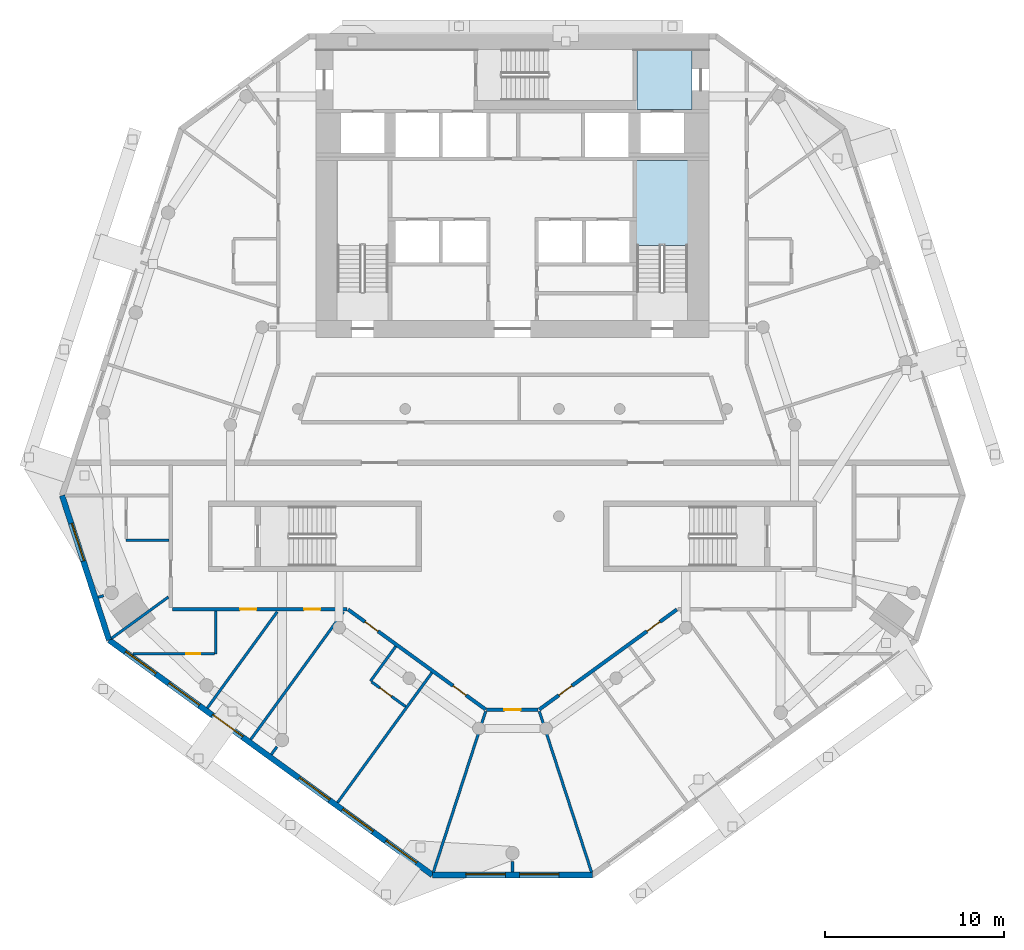
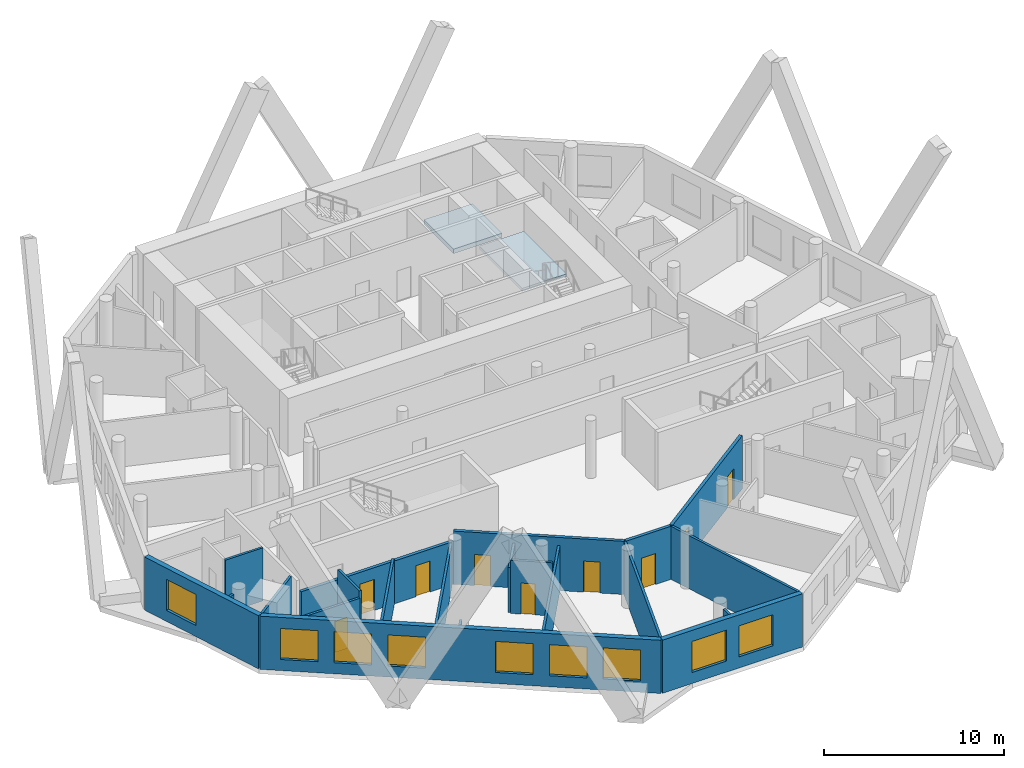
# One storey, part 3 of 10: 21 walls, 9 doors, 9 windows, 2 slabs, 18 openings, 1 element without a shape of its own.
"""IFC4 building model written with IfcOpenShell, lengths in metres."""

from ifc_helpers import new_model, si_unit, direction, frame, frame_2d, origin, place, context, subcontext, project, spatial, polyline, rectangle, outline, extrude, material, layer, layer_set, type_object, element, fill, aggregate, save


model = new_model("IFC4")

# Units and contexts
model_context = context("Model", 3, precision=1e-05, world=origin(), true_north=direction((0.0, 1.0)))
body_context = subcontext(model_context, "Body", "Model", "MODEL_VIEW")
ifc_project = project(units=[si_unit("LENGTHUNIT", "METRE"), si_unit("AREAUNIT", "SQUARE_METRE"), si_unit("VOLUMEUNIT", "CUBIC_METRE"), si_unit("PLANEANGLEUNIT", "RADIAN"), si_unit("MASSUNIT", "GRAM", prefix="KILO")], contexts=[model_context])

# Site, building, storey
site_placement = place(None, origin())
site = spatial("IfcSite", under=ifc_project, at=site_placement, CompositionType="ELEMENT")
building_placement = place(site_placement, origin())
building = spatial("IfcBuilding", under=site, at=building_placement, Name="White Candle Pilgrim Tower", CompositionType="ELEMENT")
storey_placement = place(building_placement, frame((0.0, 0.0, 160.300048828125)))
storey = spatial("IfcBuildingStorey", under=building, at=storey_placement, Name="L36", CompositionType="ELEMENT", Elevation=160.300048828125)

# Slab
ifc_material_1 = material(Name="Concrete C40/50", Category="concrete")
ifc_layer_1 = layer(ifc_material_1, 0.300048828125)
ifc_layer_set_1 = layer_set([ifc_layer_1], Name="Core floor slab 300 mm Concrete C40/50")
slab_type_1 = type_object("IfcSlabType", Name="Core floor slab 300 mm Concrete C40/50", PredefinedType="FLOOR", material=ifc_layer_set_1)
slab_1_placement = place(storey_placement, frame((0.0, 0.0, -0.300048828125)))
element("IfcSlab", 1, at=slab_1_placement, inside=storey, type_object=slab_type_1, Name="CF-L36-06", PredefinedType="FLOOR", context=body_context, shape_type="SweptSolid", body=[
    extrude(outline(polyline([(80.050048828125, 87.050048828125), (80.050048828125, 83.75), (76.949951171875, 83.75), (76.949951171875, 84.25), (76.949951171875, 87.050048828125), (80.050048828125, 87.050048828125)])), origin(), (0.0, 0.0, 1.0), 0.300048828125),
])

# Stair, slab
stair_type = type_object("IfcStairType", Name="Exit stair 2 flight width 1350 mm", PredefinedType="HALF_TURN_STAIR", material=ifc_material_1)
stair_placement = place(storey_placement, origin())
stair = element("IfcStair", 2, at=stair_placement, inside=storey, type_object=stair_type, Name="L36 stair 2", PredefinedType="NOTDEFINED")
ifc_layer_2 = layer(ifc_material_1, 0.199951171875)
ifc_layer_set_2 = layer_set([ifc_layer_2], Name="Stair landing Concrete C40/50")
slab_type_2 = type_object("IfcSlabType", Name="Stair landing Concrete C40/50", PredefinedType="LANDING", material=ifc_layer_set_2)
slab_2_placement = place(storey_placement, frame((0.0, 0.0, 1.75)))
slab_2 = element("IfcSlab", 3, at=slab_2_placement, type_object=slab_type_2, Name="ST2 landing 1", PredefinedType="LANDING", context=body_context, shape_type="SweptSolid", body=[
    extrude(outline(polyline([(79.802001953125, 76.14794921875), (76.947998046875, 76.14794921875), (76.947998046875, 80.902099609375), (79.802001953125, 80.902099609375), (79.802001953125, 76.14794921875)])), origin(), (0.0, 0.0, 1.0), 0.199951171875),
])
aggregate(stair, [slab_2])

# Wall, openings, doors
ifc_material_2 = material(Name="Gypsum board on steel studs", Category="steel")
ifc_layer_3 = layer(ifc_material_2, 0.199951171875)
ifc_layer_set_3 = layer_set([ifc_layer_3], Name="Corridor wall 200 mm EI 45")
wall_type_1 = type_object("IfcWallType", Name="Corridor wall 200 mm EI 45", PredefinedType="PARTITIONING", material=ifc_layer_set_3)
wall_1_placement = place(storey_placement, frame((79.192626953125, 55.781005859375, 0.0), z_axis=(0.0, 0.0, 1.0), x_axis=(-0.809014652106, -0.587788476135, 0.0)))
wall_1 = element("IfcWall", 4, at=wall_1_placement, inside=storey, type_object=wall_type_1, Name="WL-L36-P008", PredefinedType="PARTITIONING", context=body_context, shape_type="SweptSolid", body=[
    extrude(rectangle(XDim=9.509521484375, YDim=0.199951171875, at=frame_2d((4.7548828125, 0.0))), origin(), (0.0, 0.0, 1.0), 3.599853515625),
])
opening_1_placement = place(wall_1_placement, frame((7.2548828125, 0.0, 0.0)))
opening_1 = element("IfcOpeningElement", 5, at=opening_1_placement, cuts=wall_1, Name="Opening T11-111", PredefinedType="OPENING", context=body_context, shape_type="SweptSolid", body=[
    extrude(rectangle(XDim=0.89990234375, YDim=2.10009765625, at=frame_2d((0.449951171875, 1.050048828125))), frame((0.0, 0.10986328125, 0.0), z_axis=(0.0, -1.0, 0.0), x_axis=(1.0, 0.0, 0.0)), (0.0, 0.0, 1.0), 0.219970703125),
])
opening_2_placement = place(wall_1_placement, frame((1.16748046875, 0.0, 0.0)))
opening_2 = element("IfcOpeningElement", 6, at=opening_2_placement, cuts=wall_1, Name="Opening T11-113", PredefinedType="OPENING", context=body_context, shape_type="SweptSolid", body=[
    extrude(rectangle(XDim=0.89990234375, YDim=2.10009765625, at=frame_2d((0.449951171875, 1.050048828125))), frame((0.0, 0.10986328125, 0.0), z_axis=(0.0, -1.0, 0.0), x_axis=(1.0, 0.0, 0.0)), (0.0, 0.0, 1.0), 0.219970703125),
])
ifc_material_3 = material(Name="Steel door leaf", Category="steel")
door_type_1 = type_object("IfcDoorType", Name="Fire door 900 x 2100 EI 30", OperationType="NOTDEFINED", PredefinedType="DOOR", material=ifc_material_3)
door_1_placement = place(opening_1_placement, origin())
door_1 = element("IfcDoor", 7, at=door_1_placement, inside=storey, type_object=door_type_1, Name="Door T11-111", OperationType="SINGLE_SWING_LEFT", OverallHeight=2.10009765625, OverallWidth=0.89990234375, PredefinedType="DOOR", context=body_context, shape_type="SweptSolid", body=[
    extrude(rectangle(XDim=0.89990234375, YDim=2.10009765625, at=frame_2d((0.449951171875, 1.050048828125))), frame((0.0, 0.02490234375, 0.0), z_axis=(0.0, -1.0, 0.0), x_axis=(1.0, 0.0, 0.0)), (0.0, 0.0, 1.0), 0.050048828125),
])
fill(opening_1, door_1)
door_2_placement = place(opening_2_placement, origin())
door_2 = element("IfcDoor", 8, at=door_2_placement, inside=storey, type_object=door_type_1, Name="Door T11-113", OperationType="SINGLE_SWING_LEFT", OverallHeight=2.10009765625, OverallWidth=0.89990234375, PredefinedType="DOOR", context=body_context, shape_type="SweptSolid", body=[
    extrude(rectangle(XDim=0.89990234375, YDim=2.10009765625, at=frame_2d((0.449951171875, 1.050048828125))), frame((0.0, 0.02490234375, 0.0), z_axis=(0.0, -1.0, 0.0), x_axis=(1.0, 0.0, 0.0)), (0.0, 0.0, 1.0), 0.050048828125),
])
fill(opening_2, door_2)

# Wall, opening, door
wall_2_placement = place(storey_placement, frame((71.440673828125, 50.17236328125, 0.0), z_axis=(0.0, 0.0, 1.0), x_axis=(-1.0, 0.0, 0.0)))
wall_2 = element("IfcWall", 9, at=wall_2_placement, inside=storey, type_object=wall_type_1, Name="WL-L36-P009", PredefinedType="PARTITIONING", context=body_context, shape_type="SweptSolid", body=[
    extrude(rectangle(XDim=2.88134765625, YDim=0.199951171875, at=frame_2d((1.440673828125, 0.0))), origin(), (0.0, 0.0, 1.0), 3.599853515625),
])
opening_3_placement = place(wall_2_placement, frame((0.990478515625, 0.0, 0.0)))
opening_3 = element("IfcOpeningElement", 10, at=opening_3_placement, cuts=wall_2, Name="Opening T11-110", PredefinedType="OPENING", context=body_context, shape_type="SweptSolid", body=[
    extrude(rectangle(XDim=0.89990234375, YDim=2.10009765625, at=frame_2d((0.449951171875, 1.050048828125))), frame((0.0, 0.10986328125, 0.0), z_axis=(0.0, -1.0, 0.0), x_axis=(1.0, 0.0, 0.0)), (0.0, 0.0, 1.0), 0.219970703125),
])
door_3_placement = place(opening_3_placement, origin())
door_3 = element("IfcDoor", 11, at=door_3_placement, inside=storey, type_object=door_type_1, Name="Door T11-110", OperationType="SINGLE_SWING_RIGHT", OverallHeight=2.10009765625, OverallWidth=0.89990234375, PredefinedType="DOOR", context=body_context, shape_type="SweptSolid", body=[
    extrude(rectangle(XDim=0.89990234375, YDim=2.10009765625, at=frame_2d((0.449951171875, 1.050048828125))), frame((0.0, 0.02490234375, 0.0), z_axis=(0.0, -1.0, 0.0), x_axis=(1.0, 0.0, 0.0)), (0.0, 0.0, 1.0), 0.050048828125),
])
fill(opening_3, door_3)

# Wall, openings, doors
wall_3_placement = place(storey_placement, frame((68.500732421875, 50.19140625, 0.0), z_axis=(0.0, 0.0, 1.0), x_axis=(-0.809014652106, 0.587788476135, 0.0)))
wall_3 = element("IfcWall", 12, at=wall_3_placement, inside=storey, type_object=wall_type_1, Name="WL-L36-P010", PredefinedType="PARTITIONING", context=body_context, shape_type="SweptSolid", body=[
    extrude(rectangle(XDim=9.509521484375, YDim=0.199951171875, at=frame_2d((4.7548828125, 0.0))), origin(), (0.0, 0.0, 1.0), 3.599853515625),
])
opening_4_placement = place(wall_3_placement, frame((7.44189453125, 0.0, 0.0)))
opening_4 = element("IfcOpeningElement", 13, at=opening_4_placement, cuts=wall_3, Name="Opening T11-108", PredefinedType="OPENING", context=body_context, shape_type="SweptSolid", body=[
    extrude(rectangle(XDim=0.89990234375, YDim=2.10009765625, at=frame_2d((0.449951171875, 1.050048828125))), frame((0.0, 0.10986328125, 0.0), z_axis=(0.0, -1.0, 0.0), x_axis=(1.0, 0.0, 0.0)), (0.0, 0.0, 1.0), 0.219970703125),
])
opening_5_placement = place(wall_3_placement, frame((1.3544921875, 0.0, 0.0)))
opening_5 = element("IfcOpeningElement", 14, at=opening_5_placement, cuts=wall_3, Name="Opening T11-109", PredefinedType="OPENING", context=body_context, shape_type="SweptSolid", body=[
    extrude(rectangle(XDim=0.89990234375, YDim=2.10009765625, at=frame_2d((0.449951171875, 1.050048828125))), frame((0.0, 0.10986328125, 0.0), z_axis=(0.0, -1.0, 0.0), x_axis=(1.0, 0.0, 0.0)), (0.0, 0.0, 1.0), 0.219970703125),
])
door_4_placement = place(opening_4_placement, origin())
door_4 = element("IfcDoor", 15, at=door_4_placement, inside=storey, type_object=door_type_1, Name="Door T11-108", OperationType="SINGLE_SWING_RIGHT", OverallHeight=2.10009765625, OverallWidth=0.89990234375, PredefinedType="DOOR", context=body_context, shape_type="SweptSolid", body=[
    extrude(rectangle(XDim=0.89990234375, YDim=2.10009765625, at=frame_2d((0.449951171875, 1.050048828125))), frame((0.0, 0.02490234375, 0.0), z_axis=(0.0, -1.0, 0.0), x_axis=(1.0, 0.0, 0.0)), (0.0, 0.0, 1.0), 0.050048828125),
])
fill(opening_4, door_4)
door_5_placement = place(opening_5_placement, origin())
door_5 = element("IfcDoor", 16, at=door_5_placement, inside=storey, type_object=door_type_1, Name="Door T11-109", OperationType="SINGLE_SWING_LEFT", OverallHeight=2.10009765625, OverallWidth=0.89990234375, PredefinedType="DOOR", context=body_context, shape_type="SweptSolid", body=[
    extrude(rectangle(XDim=0.89990234375, YDim=2.10009765625, at=frame_2d((0.449951171875, 1.050048828125))), frame((0.0, 0.02490234375, 0.0), z_axis=(0.0, -1.0, 0.0), x_axis=(1.0, 0.0, 0.0)), (0.0, 0.0, 1.0), 0.050048828125),
])
fill(opening_5, door_5)

wall_4_placement = place(storey_placement, frame((60.74853515625, 55.800048828125, 0.0), z_axis=(0.0, 0.0, 1.0), x_axis=(-1.0, 0.0, 0.0)))
wall_4 = element("IfcWall", 17, at=wall_4_placement, inside=storey, type_object=wall_type_1, Name="WL-L36-P011", PredefinedType="PARTITIONING", context=body_context, shape_type="SweptSolid", body=[
    extrude(rectangle(XDim=9.74853515625, YDim=0.199951171875, at=frame_2d((4.874267578125, 0.0))), origin(), (0.0, 0.0, 1.0), 2.89990234375),
])
opening_6_placement = place(wall_4_placement, frame((5.07373046875, 0.0, 0.0)))
opening_6 = element("IfcOpeningElement", 18, at=opening_6_placement, cuts=wall_4, Name="Opening T11-105", PredefinedType="OPENING", context=body_context, shape_type="SweptSolid", body=[
    extrude(rectangle(XDim=0.89990234375, YDim=2.10009765625, at=frame_2d((0.449951171875, 1.050048828125))), frame((0.0, 0.10986328125, 0.0), z_axis=(0.0, -1.0, 0.0), x_axis=(1.0, 0.0, 0.0)), (0.0, 0.0, 1.0), 0.219970703125),
])
opening_7_placement = place(wall_4_placement, frame((1.4951171875, 0.0, 0.0)))
opening_7 = element("IfcOpeningElement", 19, at=opening_7_placement, cuts=wall_4, Name="Opening T11-106", PredefinedType="OPENING", context=body_context, shape_type="SweptSolid", body=[
    extrude(rectangle(XDim=0.89990234375, YDim=2.10009765625, at=frame_2d((0.449951171875, 1.050048828125))), frame((0.0, 0.10986328125, 0.0), z_axis=(0.0, -1.0, 0.0), x_axis=(1.0, 0.0, 0.0)), (0.0, 0.0, 1.0), 0.219970703125),
])
door_6_placement = place(opening_6_placement, origin())
door_6 = element("IfcDoor", 20, at=door_6_placement, inside=storey, type_object=door_type_1, Name="Door T11-105", OperationType="SINGLE_SWING_LEFT", OverallHeight=2.10009765625, OverallWidth=0.89990234375, PredefinedType="DOOR", context=body_context, shape_type="SweptSolid", body=[
    extrude(rectangle(XDim=0.89990234375, YDim=2.10009765625, at=frame_2d((0.449951171875, 1.050048828125))), frame((0.0, 0.02490234375, 0.0), z_axis=(0.0, -1.0, 0.0), x_axis=(1.0, 0.0, 0.0)), (0.0, 0.0, 1.0), 0.050048828125),
])
fill(opening_6, door_6)
door_7_placement = place(opening_7_placement, origin())
door_7 = element("IfcDoor", 21, at=door_7_placement, inside=storey, type_object=door_type_1, Name="Door T11-106", OperationType="SINGLE_SWING_RIGHT", OverallHeight=2.10009765625, OverallWidth=0.89990234375, PredefinedType="DOOR", context=body_context, shape_type="SweptSolid", body=[
    extrude(rectangle(XDim=0.89990234375, YDim=2.10009765625, at=frame_2d((0.449951171875, 1.050048828125))), frame((0.0, 0.02490234375, 0.0), z_axis=(0.0, -1.0, 0.0), x_axis=(1.0, 0.0, 0.0)), (0.0, 0.0, 1.0), 0.050048828125),
])
fill(opening_7, door_7)

# Wall, opening, window
ifc_material_4 = material(Name="Precast concrete C40/50", Category="concrete")
ifc_layer_4 = layer(ifc_material_4, 0.320068359375)
ifc_layer_set_4 = layer_set([ifc_layer_4], Name="Facade wall EW1 precast concrete C40/50 pier wall with timber-lined reveals")
wall_type_2 = type_object("IfcWallType", Name="Facade wall EW1 precast concrete C40/50 pier wall with timber-lined reveals", PredefinedType="SOLIDWALL", material=ifc_layer_set_4)
wall_5_placement = place(storey_placement, frame((44.81298828125, 62.158447265625, 0.0), z_axis=(0.0, 0.0, 1.0), x_axis=(0.30900946713, -0.951058962012, 0.0)))
wall_5 = element("IfcWall", 22, at=wall_5_placement, inside=storey, type_object=wall_type_2, Name="Facade wall L36 W chamfer", PredefinedType="SOLIDWALL", context=body_context, shape_type="SweptSolid", body=[
    extrude(rectangle(XDim=8.503662109375, YDim=0.320068359375, at=frame_2d((4.251953125, 0.0))), origin(), (0.0, 0.0, 1.0), 3.599853515625),
])
opening_8_placement = place(wall_5_placement, frame((1.65185546875, 0.0, 0.75)))
opening_8 = element("IfcOpeningElement", 23, at=opening_8_placement, cuts=wall_5, Name="Opening W4", PredefinedType="OPENING", context=body_context, shape_type="SweptSolid", body=[
    extrude(rectangle(XDim=2.199951171875, YDim=2.10009765625, at=frame_2d((1.10009765625, 1.050048828125))), frame((0.0, 0.169921875, 0.0), z_axis=(0.0, -1.0, 0.0), x_axis=(1.0, 0.0, 0.0)), (0.0, 0.0, 1.0), 0.340087890625),
])
ifc_material_5 = material(Name="Timber frame with triple glazing", Category="wood")
window_type_1 = type_object("IfcWindowType", Name="Window W4 2200x2100 timber frame triple glazing", PartitioningType="SINGLE_PANEL", PredefinedType="WINDOW", material=ifc_material_5)
window_1_placement = place(opening_8_placement, origin())
window_1 = element("IfcWindow", 24, at=window_1_placement, inside=storey, type_object=window_type_1, Name="Window W4 L36 W chamfer 1", OverallHeight=2.10009765625, OverallWidth=2.199951171875, PartitioningType="SINGLE_PANEL", PredefinedType="WINDOW", context=body_context, shape_type="SweptSolid", body=[
    extrude(rectangle(XDim=2.199951171875, YDim=2.10009765625, at=frame_2d((1.10009765625, 1.050048828125))), frame((0.0, 0.070068359375, 0.0), z_axis=(0.0, -1.0, 0.0), x_axis=(1.0, 0.0, 0.0)), (0.0, 0.0, 1.0), 0.06005859375),
])
fill(opening_8, window_1)

# Wall, openings, windows
wall_6_placement = place(storey_placement, frame((47.440673828125, 54.071044921875, 0.0), z_axis=(0.0, 0.0, 1.0), x_axis=(0.809019373805, -0.587781977274, 0.0)))
wall_6 = element("IfcWall", 25, at=wall_6_placement, inside=storey, type_object=wall_type_2, Name="Facade wall L36 SW", PredefinedType="SOLIDWALL", context=body_context, shape_type="SweptSolid", body=[
    extrude(rectangle(XDim=22.35302734375, YDim=0.320068359375, at=frame_2d((11.176513671875, 0.0))), origin(), (0.0, 0.0, 1.0), 3.599853515625),
])
opening_9_placement = place(wall_6_placement, frame((1.12646484375, 0.0, 0.75)))
opening_9 = element("IfcOpeningElement", 26, at=opening_9_placement, cuts=wall_6, Name="Opening W3", PredefinedType="OPENING", context=body_context, shape_type="SweptSolid", body=[
    extrude(rectangle(XDim=2.10009765625, YDim=2.10009765625, at=frame_2d((1.050048828125, 1.050048828125))), frame((0.0, 0.169921875, 0.0), z_axis=(0.0, -1.0, 0.0), x_axis=(1.0, 0.0, 0.0)), (0.0, 0.0, 1.0), 0.340087890625),
])
opening_10_placement = place(wall_6_placement, frame((4.12646484375, 0.0, 0.75)))
opening_10 = element("IfcOpeningElement", 27, at=opening_10_placement, cuts=wall_6, Name="Opening W3", PredefinedType="OPENING", context=body_context, shape_type="SweptSolid", body=[
    extrude(rectangle(XDim=2.10009765625, YDim=2.10009765625, at=frame_2d((1.050048828125, 1.050048828125))), frame((0.0, 0.169921875, 0.0), z_axis=(0.0, -1.0, 0.0), x_axis=(1.0, 0.0, 0.0)), (0.0, 0.0, 1.0), 0.340087890625),
])
opening_11_placement = place(wall_6_placement, frame((7.12646484375, 0.0, 0.75)))
opening_11 = element("IfcOpeningElement", 28, at=opening_11_placement, cuts=wall_6, Name="Opening W3", PredefinedType="OPENING", context=body_context, shape_type="SweptSolid", body=[
    extrude(rectangle(XDim=2.10009765625, YDim=2.10009765625, at=frame_2d((1.050048828125, 1.050048828125))), frame((0.0, 0.169921875, 0.0), z_axis=(0.0, -1.0, 0.0), x_axis=(1.0, 0.0, 0.0)), (0.0, 0.0, 1.0), 0.340087890625),
])
opening_12_placement = place(wall_6_placement, frame((13.12646484375, 0.0, 0.75)))
opening_12 = element("IfcOpeningElement", 29, at=opening_12_placement, cuts=wall_6, Name="Opening W3", PredefinedType="OPENING", context=body_context, shape_type="SweptSolid", body=[
    extrude(rectangle(XDim=2.10009765625, YDim=2.10009765625, at=frame_2d((1.050048828125, 1.050048828125))), frame((0.0, 0.169921875, 0.0), z_axis=(0.0, -1.0, 0.0), x_axis=(1.0, 0.0, 0.0)), (0.0, 0.0, 1.0), 0.340087890625),
])
opening_13_placement = place(wall_6_placement, frame((16.12646484375, 0.0, 0.75)))
opening_13 = element("IfcOpeningElement", 30, at=opening_13_placement, cuts=wall_6, Name="Opening W3", PredefinedType="OPENING", context=body_context, shape_type="SweptSolid", body=[
    extrude(rectangle(XDim=2.10009765625, YDim=2.10009765625, at=frame_2d((1.050048828125, 1.050048828125))), frame((0.0, 0.169921875, 0.0), z_axis=(0.0, -1.0, 0.0), x_axis=(1.0, 0.0, 0.0)), (0.0, 0.0, 1.0), 0.340087890625),
])
opening_14_placement = place(wall_6_placement, frame((19.12646484375, 0.0, 0.75)))
opening_14 = element("IfcOpeningElement", 31, at=opening_14_placement, cuts=wall_6, Name="Opening W3", PredefinedType="OPENING", context=body_context, shape_type="SweptSolid", body=[
    extrude(rectangle(XDim=2.10009765625, YDim=2.10009765625, at=frame_2d((1.050048828125, 1.050048828125))), frame((0.0, 0.169921875, 0.0), z_axis=(0.0, -1.0, 0.0), x_axis=(1.0, 0.0, 0.0)), (0.0, 0.0, 1.0), 0.340087890625),
])
window_type_2 = type_object("IfcWindowType", Name="Window W3 2100x2100 timber frame triple glazing", PartitioningType="SINGLE_PANEL", PredefinedType="WINDOW", material=ifc_material_5)
window_2_placement = place(opening_9_placement, origin())
window_2 = element("IfcWindow", 32, at=window_2_placement, inside=storey, type_object=window_type_2, Name="Window W3 L36 SW 1", OverallHeight=2.10009765625, OverallWidth=2.10009765625, PartitioningType="SINGLE_PANEL", PredefinedType="WINDOW", context=body_context, shape_type="SweptSolid", body=[
    extrude(rectangle(XDim=2.10009765625, YDim=2.10009765625, at=frame_2d((1.050048828125, 1.050048828125))), frame((0.0, 0.070068359375, 0.0), z_axis=(0.0, -1.0, 0.0), x_axis=(1.0, 0.0, 0.0)), (0.0, 0.0, 1.0), 0.06005859375),
])
fill(opening_9, window_2)
window_3_placement = place(opening_10_placement, origin())
window_3 = element("IfcWindow", 33, at=window_3_placement, inside=storey, type_object=window_type_2, Name="Window W3 L36 SW 2", OverallHeight=2.10009765625, OverallWidth=2.10009765625, PartitioningType="SINGLE_PANEL", PredefinedType="WINDOW", context=body_context, shape_type="SweptSolid", body=[
    extrude(rectangle(XDim=2.10009765625, YDim=2.10009765625, at=frame_2d((1.050048828125, 1.050048828125))), frame((0.0, 0.070068359375, 0.0), z_axis=(0.0, -1.0, 0.0), x_axis=(1.0, 0.0, 0.0)), (0.0, 0.0, 1.0), 0.06005859375),
])
fill(opening_10, window_3)
window_4_placement = place(opening_11_placement, origin())
window_4 = element("IfcWindow", 34, at=window_4_placement, inside=storey, type_object=window_type_2, Name="Window W3 L36 SW 3", OverallHeight=2.10009765625, OverallWidth=2.10009765625, PartitioningType="SINGLE_PANEL", PredefinedType="WINDOW", context=body_context, shape_type="SweptSolid", body=[
    extrude(rectangle(XDim=2.10009765625, YDim=2.10009765625, at=frame_2d((1.050048828125, 1.050048828125))), frame((0.0, 0.070068359375, 0.0), z_axis=(0.0, -1.0, 0.0), x_axis=(1.0, 0.0, 0.0)), (0.0, 0.0, 1.0), 0.06005859375),
])
fill(opening_11, window_4)
window_5_placement = place(opening_12_placement, origin())
window_5 = element("IfcWindow", 35, at=window_5_placement, inside=storey, type_object=window_type_2, Name="Window W3 L36 SW 5", OverallHeight=2.10009765625, OverallWidth=2.10009765625, PartitioningType="SINGLE_PANEL", PredefinedType="WINDOW", context=body_context, shape_type="SweptSolid", body=[
    extrude(rectangle(XDim=2.10009765625, YDim=2.10009765625, at=frame_2d((1.050048828125, 1.050048828125))), frame((0.0, 0.070068359375, 0.0), z_axis=(0.0, -1.0, 0.0), x_axis=(1.0, 0.0, 0.0)), (0.0, 0.0, 1.0), 0.06005859375),
])
fill(opening_12, window_5)
window_6_placement = place(opening_13_placement, origin())
window_6 = element("IfcWindow", 36, at=window_6_placement, inside=storey, type_object=window_type_2, Name="Window W3 L36 SW 6", OverallHeight=2.10009765625, OverallWidth=2.10009765625, PartitioningType="SINGLE_PANEL", PredefinedType="WINDOW", context=body_context, shape_type="SweptSolid", body=[
    extrude(rectangle(XDim=2.10009765625, YDim=2.10009765625, at=frame_2d((1.050048828125, 1.050048828125))), frame((0.0, 0.070068359375, 0.0), z_axis=(0.0, -1.0, 0.0), x_axis=(1.0, 0.0, 0.0)), (0.0, 0.0, 1.0), 0.06005859375),
])
fill(opening_13, window_6)
window_7_placement = place(opening_14_placement, origin())
window_7 = element("IfcWindow", 37, at=window_7_placement, inside=storey, type_object=window_type_2, Name="Window W3 L36 SW 7", OverallHeight=2.10009765625, OverallWidth=2.10009765625, PartitioningType="SINGLE_PANEL", PredefinedType="WINDOW", context=body_context, shape_type="SweptSolid", body=[
    extrude(rectangle(XDim=2.10009765625, YDim=2.10009765625, at=frame_2d((1.050048828125, 1.050048828125))), frame((0.0, 0.070068359375, 0.0), z_axis=(0.0, -1.0, 0.0), x_axis=(1.0, 0.0, 0.0)), (0.0, 0.0, 1.0), 0.06005859375),
])
fill(opening_14, window_7)

wall_7_placement = place(storey_placement, frame((65.524658203125, 40.932373046875, 0.0), z_axis=(0.0, 0.0, 1.0), x_axis=(1.0, 0.0, 0.0)))
wall_7 = element("IfcWall", 38, at=wall_7_placement, inside=storey, type_object=wall_type_2, Name="Facade wall L36 S chamfer", PredefinedType="SOLIDWALL", context=body_context, shape_type="SweptSolid", body=[
    extrude(rectangle(XDim=8.95068359375, YDim=0.320068359375, at=frame_2d((4.475341796875, 0.0))), origin(), (0.0, 0.0, 1.0), 3.599853515625),
])
opening_15_placement = place(wall_7_placement, frame((1.875244140625, 0.0, 0.75)))
opening_15 = element("IfcOpeningElement", 39, at=opening_15_placement, cuts=wall_7, Name="Opening W4", PredefinedType="OPENING", context=body_context, shape_type="SweptSolid", body=[
    extrude(rectangle(XDim=2.199951171875, YDim=2.10009765625, at=frame_2d((1.10009765625, 1.050048828125))), frame((0.0, 0.169921875, 0.0), z_axis=(0.0, -1.0, 0.0), x_axis=(1.0, 0.0, 0.0)), (0.0, 0.0, 1.0), 0.340087890625),
])
opening_16_placement = place(wall_7_placement, frame((4.875244140625, 0.0, 0.75)))
opening_16 = element("IfcOpeningElement", 40, at=opening_16_placement, cuts=wall_7, Name="Opening W4", PredefinedType="OPENING", context=body_context, shape_type="SweptSolid", body=[
    extrude(rectangle(XDim=2.199951171875, YDim=2.10009765625, at=frame_2d((1.10009765625, 1.050048828125))), frame((0.0, 0.169921875, 0.0), z_axis=(0.0, -1.0, 0.0), x_axis=(1.0, 0.0, 0.0)), (0.0, 0.0, 1.0), 0.340087890625),
])
window_8_placement = place(opening_15_placement, origin())
window_8 = element("IfcWindow", 41, at=window_8_placement, inside=storey, type_object=window_type_1, Name="Window W4 L36 S chamfer 1", OverallHeight=2.10009765625, OverallWidth=2.199951171875, PartitioningType="SINGLE_PANEL", PredefinedType="WINDOW", context=body_context, shape_type="SweptSolid", body=[
    extrude(rectangle(XDim=2.199951171875, YDim=2.10009765625, at=frame_2d((1.10009765625, 1.050048828125))), frame((0.0, 0.070068359375, 0.0), z_axis=(0.0, -1.0, 0.0), x_axis=(1.0, 0.0, 0.0)), (0.0, 0.0, 1.0), 0.06005859375),
])
fill(opening_15, window_8)
window_9_placement = place(opening_16_placement, origin())
window_9 = element("IfcWindow", 42, at=window_9_placement, inside=storey, type_object=window_type_1, Name="Window W4 L36 S chamfer 2", OverallHeight=2.10009765625, OverallWidth=2.199951171875, PartitioningType="SINGLE_PANEL", PredefinedType="WINDOW", context=body_context, shape_type="SweptSolid", body=[
    extrude(rectangle(XDim=2.199951171875, YDim=2.10009765625, at=frame_2d((1.10009765625, 1.050048828125))), frame((0.0, 0.070068359375, 0.0), z_axis=(0.0, -1.0, 0.0), x_axis=(1.0, 0.0, 0.0)), (0.0, 0.0, 1.0), 0.06005859375),
])
fill(opening_16, window_9)

# Walls
ifc_layer_5 = layer(ifc_material_2, 0.14990234375)
ifc_layer_set_5 = layer_set([ifc_layer_5], Name="Partition 150 mm EI 60")
wall_type_3 = type_object("IfcWallType", Name="Partition 150 mm EI 60", PredefinedType="PARTITIONING", material=ifc_layer_set_5)
wall_8_placement = place(storey_placement, frame((47.576904296875, 54.169921875, 0.0), z_axis=(0.0, 0.0, 1.0), x_axis=(0.809026161047, 0.587772635244, 0.0)))
element("IfcWall", 43, at=wall_8_placement, inside=storey, type_object=wall_type_3, Name="WL-L36-P019", PredefinedType="PARTITIONING", context=body_context, shape_type="SweptSolid", body=[
    extrude(rectangle(XDim=3.929443359375, YDim=0.14990234375, at=frame_2d((1.96484375, 0.0))), origin(), (0.0, 0.0, 1.0), 3.599853515625),
])
for number, where, z_axis, x_axis, name in (
    (44, (65.57666015625, 41.09228515625, 0.0), (0.0, 0.0, 1.0), (0.309027729723, 0.951053028102, 0.0), "WL-L36-P020"),
    (45, (74.42333984375, 41.09228515625, 0.0), (0.0, 0.0, 1.0), (-0.309027729723, 0.951053028102, 0.0), "WL-L36-P021"),
):
    element("IfcWall", number, at=place(storey_placement, frame(where, z_axis=z_axis, x_axis=x_axis)), inside=storey, type_object=wall_type_3, Name=name, PredefinedType="PARTITIONING", context=body_context, shape_type="SweptSolid", body=[
        extrude(rectangle(XDim=9.462158203125, YDim=0.14990234375, at=frame_2d((4.73095703125, 0.0))), origin(), (0.0, 0.0, 1.0), 3.599853515625),
    ])
wall_9_placement = place(storey_placement, frame((50.800048828125, 59.658447265625, 0.0), z_axis=(0.0, 0.0, 1.0), x_axis=(-1.0, 0.0, 0.0)))
element("IfcWall", 46, at=wall_9_placement, inside=storey, type_object=wall_type_3, Name="WL-L36-P031", PredefinedType="PARTITIONING", context=body_context, shape_type="SweptSolid", body=[
    extrude(rectangle(XDim=2.400146484375, YDim=0.14990234375, at=frame_2d((1.2001953125, 0.0))), origin(), (0.0, 0.0, 1.0), 3.599853515625),
])
wall_10_placement = place(storey_placement, frame((52.936279296875, 50.276123046875, 0.0), z_axis=(0.0, 0.0, 1.0), x_axis=(0.587783062089, 0.809018585646, 0.0)))
element("IfcWall", 47, at=wall_10_placement, inside=storey, type_object=wall_type_3, Name="WL-L36-P033", PredefinedType="PARTITIONING", context=body_context, shape_type="SweptSolid", body=[
    extrude(rectangle(XDim=6.64990234375, YDim=0.14990234375, at=frame_2d((3.324951171875, 0.0))), origin(), (0.0, 0.0, 1.0), 3.14990234375),
])
wall_11_placement = place(storey_placement, frame((55.36328125, 48.5126953125, 0.0), z_axis=(0.0, 0.0, 1.0), x_axis=(0.587768822725, 0.809028930899, 0.0)))
element("IfcWall", 48, at=wall_11_placement, inside=storey, type_object=wall_type_3, Name="WL-L36-P034", PredefinedType="PARTITIONING", context=body_context, shape_type="SweptSolid", body=[
    extrude(rectangle(XDim=8.82958984375, YDim=0.14990234375, at=frame_2d((4.414794921875, 0.0))), origin(), (0.0, 0.0, 1.0), 2.89990234375),
])
wall_12_placement = place(storey_placement, frame((60.21728515625, 44.986083984375, 0.0), z_axis=(0.0, 0.0, 1.0), x_axis=(0.587790127827, 0.809013452069, 0.0)))
element("IfcWall", 49, at=wall_12_placement, inside=storey, type_object=wall_type_3, Name="WL-L36-P035", PredefinedType="PARTITIONING", context=body_context, shape_type="SweptSolid", body=[
    extrude(rectangle(XDim=8.97998046875, YDim=0.14990234375, at=frame_2d((4.489990234375, 0.0))), origin(), (0.0, 0.0, 1.0), 3.050048828125),
])
wall_13_placement = place(storey_placement, frame((53.39990234375, 55.699951171875, 0.0), z_axis=(0.0, 0.0, 1.0), x_axis=(0.0, -1.0, 0.0)))
element("IfcWall", 50, at=wall_13_placement, inside=storey, type_object=wall_type_3, Name="WL-L36-P036", PredefinedType="PARTITIONING", context=body_context, shape_type="SweptSolid", body=[
    extrude(rectangle(XDim=2.39990234375, YDim=0.14990234375, at=frame_2d((1.199951171875, 0.0))), origin(), (0.0, 0.0, 1.0), 3.599853515625),
])

# Wall, opening, door
wall_14_placement = place(storey_placement, frame((48.774169921875, 53.300048828125, 0.0), z_axis=(0.0, 0.0, 1.0), x_axis=(1.0, 0.0, 0.0)))
wall_14 = element("IfcWall", 51, at=wall_14_placement, inside=storey, type_object=wall_type_3, Name="WL-L36-P037", PredefinedType="PARTITIONING", context=body_context, shape_type="SweptSolid", body=[
    extrude(rectangle(XDim=4.55078125, YDim=0.14990234375, at=frame_2d((2.275390625, 0.0))), origin(), (0.0, 0.0, 1.0), 3.14990234375),
])
opening_17_placement = place(wall_14_placement, frame((2.975830078125, 0.0, 0.0)))
opening_17 = element("IfcOpeningElement", 52, at=opening_17_placement, cuts=wall_14, Name="Opening T11-104", PredefinedType="OPENING", context=body_context, shape_type="SweptSolid", body=[
    extrude(rectangle(XDim=0.800048828125, YDim=2.10009765625, at=frame_2d((0.39990234375, 1.050048828125))), frame((0.0, 0.0849609375, 0.0), z_axis=(0.0, -1.0, 0.0), x_axis=(1.0, 0.0, 0.0)), (0.0, 0.0, 1.0), 0.169921875),
])
door_type_2 = type_object("IfcDoorType", Name="Fire door 800 x 2100 EI 30", OperationType="NOTDEFINED", PredefinedType="DOOR", material=ifc_material_3)
door_8_placement = place(opening_17_placement, frame((0.800048828125, 0.0, 0.0), z_axis=(0.0, 0.0, 1.0), x_axis=(-1.0, 0.0, 0.0)))
door_8 = element("IfcDoor", 53, at=door_8_placement, inside=storey, type_object=door_type_2, Name="Door T11-104", OperationType="SINGLE_SWING_LEFT", OverallHeight=2.10009765625, OverallWidth=0.800048828125, PredefinedType="DOOR", context=body_context, shape_type="SweptSolid", body=[
    extrude(rectangle(XDim=0.800048828125, YDim=2.10009765625, at=frame_2d((0.39990234375, 1.050048828125))), frame((0.0, 0.02490234375, 0.0), z_axis=(0.0, -1.0, 0.0), x_axis=(1.0, 0.0, 0.0)), (0.0, 0.0, 1.0), 0.050048828125),
])
fill(opening_17, door_8)

# Wall
wall_15_placement = place(storey_placement, frame((63.47314453125, 53.720458984375, 0.0), z_axis=(0.0, 0.0, 1.0), x_axis=(-0.587772420479, -0.809026317077, 0.0)))
element("IfcWall", 54, at=wall_15_placement, inside=storey, type_object=wall_type_3, Name="WL-L36-P038", PredefinedType="PARTITIONING", context=body_context, shape_type="SweptSolid", body=[
    extrude(rectangle(XDim=2.39990234375, YDim=0.14990234375, at=frame_2d((1.199951171875, 0.0))), origin(), (0.0, 0.0, 1.0), 3.050048828125),
])

# Wall, opening, door
wall_16_placement = place(storey_placement, frame((64.0244140625, 50.353515625, 0.0), z_axis=(0.0, 0.0, 1.0), x_axis=(-0.809032466197, 0.587763956567, 0.0)))
wall_16 = element("IfcWall", 55, at=wall_16_placement, inside=storey, type_object=wall_type_3, Name="WL-L36-P039", PredefinedType="PARTITIONING", context=body_context, shape_type="SweptSolid", body=[
    extrude(rectangle(XDim=2.35009765625, YDim=0.14990234375, at=frame_2d((1.175048828125, 0.0))), origin(), (0.0, 0.0, 1.0), 3.599853515625),
])
opening_18_placement = place(wall_16_placement, frame((0.97509765625, 0.0, 0.0)))
opening_18 = element("IfcOpeningElement", 56, at=opening_18_placement, cuts=wall_16, Name="Opening T11-107", PredefinedType="OPENING", context=body_context, shape_type="SweptSolid", body=[
    extrude(rectangle(XDim=0.800048828125, YDim=2.10009765625, at=frame_2d((0.39990234375, 1.050048828125))), frame((0.0, 0.0849609375, 0.0), z_axis=(0.0, -1.0, 0.0), x_axis=(1.0, 0.0, 0.0)), (0.0, 0.0, 1.0), 0.169921875),
])
door_9_placement = place(opening_18_placement, origin())
door_9 = element("IfcDoor", 57, at=door_9_placement, inside=storey, type_object=door_type_2, Name="Door T11-107", OperationType="SINGLE_SWING_LEFT", OverallHeight=2.10009765625, OverallWidth=0.800048828125, PredefinedType="DOOR", context=body_context, shape_type="SweptSolid", body=[
    extrude(rectangle(XDim=0.800048828125, YDim=2.10009765625, at=frame_2d((0.39990234375, 1.050048828125))), frame((0.0, 0.02490234375, 0.0), z_axis=(0.0, -1.0, 0.0), x_axis=(1.0, 0.0, 0.0)), (0.0, 0.0, 1.0), 0.050048828125),
])
fill(opening_18, door_9)

# Walls
wall_17_placement = place(storey_placement, frame((47.138916015625, 56.56298828125, 0.0), z_axis=(0.0, 0.0, 1.0), x_axis=(-0.95100073077, -0.309188631864, 0.0)))
element("IfcWall", 58, at=wall_17_placement, inside=storey, type_object=wall_type_3, Name="WL-L36-P056", PredefinedType="PARTITIONING", context=body_context, shape_type="SweptSolid", body=[
    extrude(rectangle(XDim=0.322998046875, YDim=0.14990234375, at=frame_2d((0.16162109375, 0.0))), origin(), (0.0, 0.0, 1.0), 3.599853515625),
])
wall_18_placement = place(storey_placement, frame((56.8291015625, 48.109375, 0.0), z_axis=(0.0, 0.0, 1.0), x_axis=(-0.587819145055, -0.808992368757, 0.0)))
element("IfcWall", 59, at=wall_18_placement, inside=storey, type_object=wall_type_3, Name="WL-L36-P057", PredefinedType="PARTITIONING", context=body_context, shape_type="SweptSolid", body=[
    extrude(rectangle(XDim=0.535400390625, YDim=0.14990234375, at=frame_2d((0.267578125, 0.0))), origin(), (0.0, 0.0, 1.0), 3.599853515625),
])
wall_19_placement = place(storey_placement, frame((70.002197265625, 41.695068359375, 0.0), z_axis=(0.0, 0.0, 1.0), x_axis=(0.0, -1.0, 0.0)))
element("IfcWall", 60, at=wall_19_placement, inside=storey, type_object=wall_type_3, Name="WL-L36-P058", PredefinedType="PARTITIONING", context=body_context, shape_type="SweptSolid", body=[
    extrude(rectangle(XDim=0.602783203125, YDim=0.14990234375, at=frame_2d((0.30126953125, 0.0))), origin(), (0.0, 0.0, 1.0), 3.599853515625),
])

save(model, "model.ifc")
